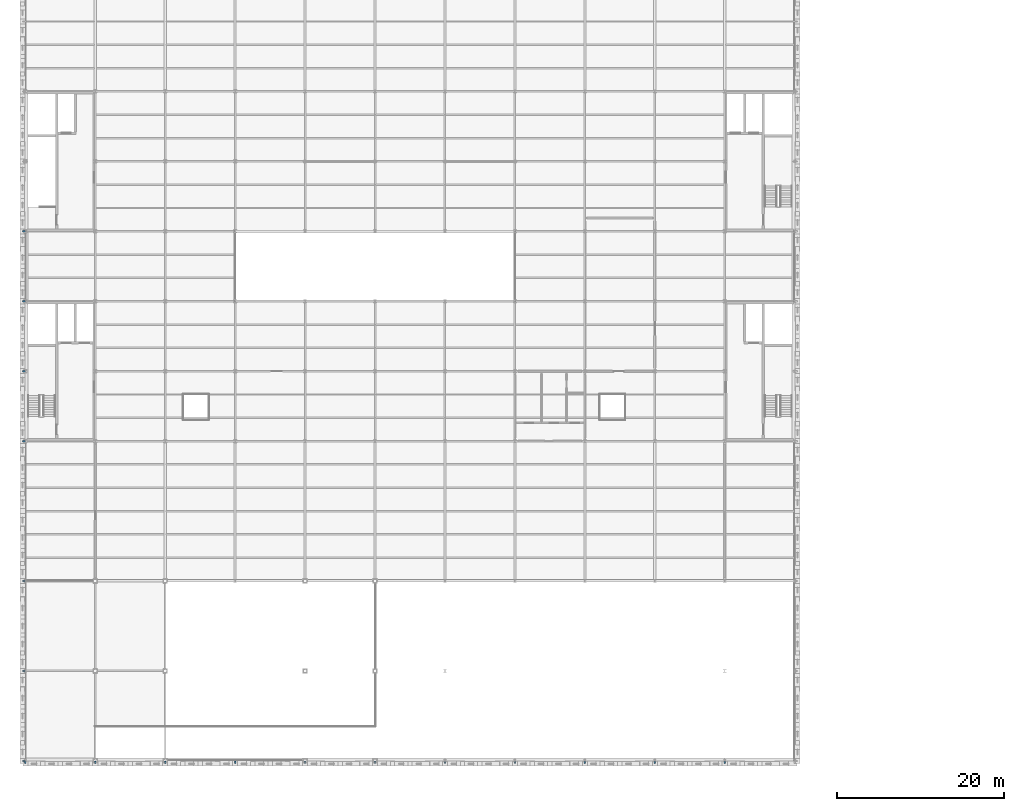
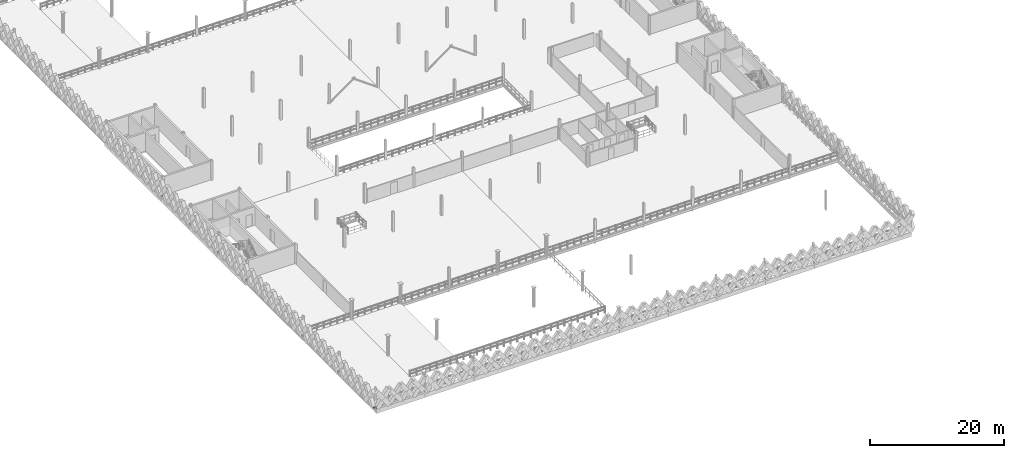
# One storey, part 28 of 47: 18 members.
"""IFC4 building model written with IfcOpenShell, lengths in metres."""

import ifcopenshell
import ifcopenshell.guid

model = None  # the IFC model being written
_history = None  # IfcOwnerHistory: only IFC2X3 demands one
_inside = {}  # id of a spatial element -> (the spatial element, [elements in it])
_under = {}  # id of a project, library or spatial element -> (it, [spatial elements below it])
_declared = {}  # id of a project -> (the project, [libraries it declares])
_typed = {}  # id of a type object -> (the type object, [elements of that type])
_made_of = {}  # id of a material, layer set ... -> (it, [elements and type objects made of it])


def new_model(schema):
    """Start an empty IFC model of exactly this schema.

    Asked for "IFC4X3", IfcOpenShell would pick the latest addendum, in which some entities
    have other attributes; the version numbers below select the first issue.
    IFC2X3 requires an IfcOwnerHistory on every rooted entity: one is made here for all.
    """
    global model, _history
    if schema == "IFC4X3":
        model = ifcopenshell.file(schema_version=(4, 3, 0, 0))
    else:
        model = ifcopenshell.file(schema=schema)
    _inside.clear()
    _under.clear()
    _declared.clear()
    _typed.clear()
    _made_of.clear()
    _history = None
    if model.schema == "IFC2X3":
        org = make("IfcOrganization", Name="unknown")
        user = make(
            "IfcPersonAndOrganization",
            ThePerson=make("IfcPerson", FamilyName="unknown"),
            TheOrganization=org,
        )
        app = make(
            "IfcApplication",
            ApplicationDeveloper=org,
            Version="unknown",
            ApplicationFullName="unknown",
            ApplicationIdentifier="unknown",
        )
        _history = make(
            "IfcOwnerHistory",
            OwningUser=user,
            OwningApplication=app,
            ChangeAction="ADDED",
            CreationDate=0,
        )
    return model


def make(cls, **values):
    """One entity of the class cls with the attributes given. An attribute that is None is left unset."""
    return model.create_entity(
        cls, **{name: value for name, value in values.items() if value is not None}
    )


def rooted(cls, **values):
    """An entity with a GlobalId (a new one), such as an element, a storey or a relation."""
    return make(cls, GlobalId=ifcopenshell.guid.new(), OwnerHistory=_history, **values)


def si_unit(unit_type, name, prefix=None):
    """IfcSIUnit, for example si_unit("LENGTHUNIT", "METRE", prefix="MILLI")."""
    return make("IfcSIUnit", UnitType=unit_type, Prefix=prefix, Name=name)


def assignment(units):
    """IfcUnitAssignment: the units of a project."""
    return None if units is None else make("IfcUnitAssignment", Units=units)


def point(xyz):
    """IfcCartesianPoint."""
    return None if xyz is None else make("IfcCartesianPoint", Coordinates=xyz)


def direction(xyz):
    """IfcDirection."""
    return None if xyz is None else make("IfcDirection", DirectionRatios=xyz)


def frame(location, z_axis=None, x_axis=None):
    """IfcAxis2Placement3D, a coordinate frame: its origin and axes. An axis left out is left unset."""
    return make(
        "IfcAxis2Placement3D",
        Location=point(location),
        Axis=direction(z_axis),
        RefDirection=direction(x_axis),
    )


def frame_2d(location, x_axis=None):
    """IfcAxis2Placement2D, a coordinate frame in the plane: its origin and x axis."""
    return make(
        "IfcAxis2Placement2D", Location=point(location), RefDirection=direction(x_axis)
    )


def origin():
    """The frame at (0, 0, 0) with its axes left unset."""
    return frame((0.0, 0.0, 0.0))


def origin_2d():
    """The frame at (0, 0) in the plane with its x axis left unset."""
    return frame_2d((0.0, 0.0))


def place(relative_to, where):
    """IfcLocalPlacement: puts the frame where relative to a parent placement (None: the world)."""
    return make(
        "IfcLocalPlacement", PlacementRelTo=relative_to, RelativePlacement=where
    )


def context(
    kind, dimensions, precision=None, world=None, true_north=None, identifier=None
):
    """IfcGeometricRepresentationContext, for example the 3D "Model" context."""
    return make(
        "IfcGeometricRepresentationContext",
        ContextIdentifier=identifier,
        ContextType=kind,
        CoordinateSpaceDimension=dimensions,
        Precision=precision,
        WorldCoordinateSystem=world,
        TrueNorth=true_north,
    )


def subcontext(parent, identifier, kind, view, scale=None):
    """IfcGeometricRepresentationSubContext, for example "Body" below "Model"."""
    return make(
        "IfcGeometricRepresentationSubContext",
        ContextIdentifier=identifier,
        ContextType=kind,
        ParentContext=parent,
        TargetScale=scale,
        TargetView=view,
    )


def project(units=None, contexts=None):
    """IfcProject with its units and contexts."""
    return rooted(
        "IfcProject",
        Name="project",
        RepresentationContexts=contexts,
        UnitsInContext=assignment(units),
    )


def spatial(cls, under=None, at=None, **own):
    """A site, building, storey or space (cls), placed at a placement, below another one or the project."""
    s = rooted(cls, ObjectPlacement=at, **own)
    if under is not None:
        _under.setdefault(under.id(), (under, []))[1].append(s)
    return s


def profile(cls, at=None, kind="AREA", **sizes):
    """A parametric profile (cls). Its sizes go by their IFC names, for example OverallWidth=200.0."""
    return make(cls, ProfileType=kind, Position=at, **sizes)


def hollow_rectangle(**sizes):
    """IfcRectangleHollowProfileDef."""
    return profile("IfcRectangleHollowProfileDef", **sizes)


def extrude(swept, where, along, depth):
    """IfcExtrudedAreaSolid: the profile swept, set in the frame where, extruded along a direction by depth."""
    return make(
        "IfcExtrudedAreaSolid",
        SweptArea=swept,
        Position=where,
        ExtrudedDirection=direction(along),
        Depth=depth,
    )


def shape(context_of_items, identifier, shape_type, items):
    """IfcShapeRepresentation: the items that make up one representation, for example the "Body"."""
    return make(
        "IfcShapeRepresentation",
        ContextOfItems=context_of_items,
        RepresentationIdentifier=identifier,
        RepresentationType=shape_type,
        Items=items,
    )


def material(Name=None, Category=None):
    """IfcMaterial."""
    return make("IfcMaterial", Name=Name, Category=Category)


def material_profile(
    of_material, cross_section, Name=None, Category=None, Priority=None
):
    """IfcMaterialProfile: a cross section and its material."""
    return make(
        "IfcMaterialProfile",
        Name=Name,
        Material=of_material,
        Profile=cross_section,
        Priority=Priority,
        Category=Category,
    )


def profile_set(profiles, Name=None, composite=None):
    """IfcMaterialProfileSet."""
    return make(
        "IfcMaterialProfileSet",
        Name=Name,
        MaterialProfiles=profiles,
        CompositeProfile=composite,
    )


def made_of(thing, what):
    """Note that an element or type object is made of a material, layer set ...; save() writes the relation."""
    if what is not None:
        _made_of.setdefault(what.id(), (what, []))[1].append(thing)
    return thing


def type_object(cls, material=None, **own):
    """A type object (cls), such as IfcWallType, which elements share."""
    return made_of(rooted(cls, **own), material)


def element(
    cls,
    number,
    at=None,
    inside=None,
    cuts=None,
    type_object=None,
    material=None,
    context=None,
    identifier="Body",
    shape_type=None,
    held_by="IfcProductDefinitionShape",
    body=None,
    shapes=None,
    **own,
):
    """One element of the class cls, such as IfcWall. Its Tag is "e" and its number.

    at: its placement. inside: the storey or other place that contains it. cuts: it is an
    opening in that element (IfcRelVoidsElement). A single representation is given by context,
    identifier, shape_type and body (its items); several are given by shapes. held_by: the class
    of the entity that holds the representations. save() writes the other relations.
    """
    e = rooted(cls, Tag="e%d" % number, ObjectPlacement=at, **own)
    if body is not None:
        shapes = [shape(context, identifier, shape_type, body)]
    if shapes is not None:
        e.Representation = make(held_by, Representations=shapes)
    if inside is not None:
        _inside.setdefault(inside.id(), (inside, []))[1].append(e)
    if cuts is not None:
        rooted(
            "IfcRelVoidsElement", RelatingBuildingElement=cuts, RelatedOpeningElement=e
        )
    if type_object is not None:
        _typed.setdefault(type_object.id(), (type_object, []))[1].append(e)
    return made_of(e, material)


def aggregate(whole, parts):
    """IfcRelAggregates: a whole, such as a stair, and the parts it consists of."""
    return rooted("IfcRelAggregates", RelatingObject=whole, RelatedObjects=parts)


def save(model, path):
    """Write the relations noted so far, then the file.

    IfcRelAggregates (storeys below a building ...), IfcRelContainedInSpatialStructure (elements
    in a storey), IfcRelDefinesByType, IfcRelAssociatesMaterial and IfcRelDeclares: one each for
    every whole, place, type object, material and project.
    """
    for whole, parts in _under.values():
        aggregate(whole, parts)
    for where, things in _inside.values():
        rooted(
            "IfcRelContainedInSpatialStructure",
            RelatedElements=things,
            RelatingStructure=where,
        )
    for kind, things in _typed.values():
        rooted("IfcRelDefinesByType", RelatedObjects=things, RelatingType=kind)
    for what, things in _made_of.values():
        rooted("IfcRelAssociatesMaterial", RelatedObjects=things, RelatingMaterial=what)
    for by, libraries in _declared.values():
        rooted("IfcRelDeclares", RelatingContext=by, RelatedDefinitions=libraries)
    model.write(path)


model = new_model("IFC4")

# Units and contexts
model_context = context("Model", 3, precision=1e-05, world=origin(), true_north=direction((0.0, 1.0)))
body_context = subcontext(model_context, "Body", "Model", "MODEL_VIEW")
ifc_project = project(units=[si_unit("LENGTHUNIT", "METRE"), si_unit("AREAUNIT", "SQUARE_METRE"), si_unit("VOLUMEUNIT", "CUBIC_METRE"), si_unit("PLANEANGLEUNIT", "RADIAN"), si_unit("MASSUNIT", "GRAM", prefix="KILO"), si_unit("THERMODYNAMICTEMPERATUREUNIT", "KELVIN"), si_unit("POWERUNIT", "WATT")], contexts=[model_context])

# Site, building, storey
site_placement = place(None, origin())
site = spatial("IfcSite", under=ifc_project, at=site_placement, CompositionType="ELEMENT")
building_placement = place(site_placement, origin())
building = spatial("IfcBuilding", under=site, at=building_placement, Name="Tembeka Court Mobility Hub", CompositionType="ELEMENT")
storey_placement = place(building_placement, frame((0.0, 0.0, 19.800048828125)))
storey = spatial("IfcBuildingStorey", under=building, at=storey_placement, Name="L05", CompositionType="ELEMENT", Elevation=19.800048828125)

# Members
ifc_material = material(Name="Steel S355", Category="steel")
ifc_material_profile = material_profile(ifc_material, hollow_rectangle(XDim=0.14990234375, YDim=0.300048828125, WallThickness=0.010009765625, at=origin_2d()), Name="RHS 300x150x10")
ifc_profile_set = profile_set([ifc_material_profile], Name="Steel S355")
member_type = type_object("IfcMemberType", Name="MEM-ST03", PredefinedType="STRUT", material=ifc_profile_set)
for number, where, z_axis, x_axis, name in (
    (1, (0.0, 0.0, 0.02001953125), (0.0, -1.0, 0.0), (1.0, 0.0, 0.0), "Lattice outrigger tie SR03 (L05-Y-0)"),
    (2, (8.39990234375, 0.0, 0.02001953125), (0.0, -1.0, 0.0), (1.0, 0.0, 0.0), "Lattice outrigger tie SR03 (L05-Y-8)"),
    (3, (16.800048828125, 0.0, 0.02001953125), (0.0, -1.0, 0.0), (1.0, 0.0, 0.0), "Lattice outrigger tie SR03 (L05-Y-16)"),
    (4, (25.199951171875, 0.0, 0.02001953125), (0.0, -1.0, 0.0), (1.0, 0.0, 0.0), "Lattice outrigger tie SR03 (L05-Y-25)"),
    (5, (33.60009765625, 0.0, 0.02001953125), (0.0, -1.0, 0.0), (1.0, 0.0, 0.0), "Lattice outrigger tie SR03 (L05-Y-33)"),
    (6, (42.0, 0.0, 0.02001953125), (0.0, -1.0, 0.0), (1.0, 0.0, 0.0), "Lattice outrigger tie SR03 (L05-Y-42)"),
    (7, (50.39990234375, 0.0, 0.02001953125), (0.0, -1.0, 0.0), (1.0, 0.0, 0.0), "Lattice outrigger tie SR03 (L05-Y-50)"),
    (8, (58.800048828125, 0.0, 0.02001953125), (0.0, -1.0, 0.0), (1.0, 0.0, 0.0), "Lattice outrigger tie SR03 (L05-Y-58)"),
    (9, (67.199951171875, 0.0, 0.02001953125), (0.0, -1.0, 0.0), (1.0, 0.0, 0.0), "Lattice outrigger tie SR03 (L05-Y-67)"),
    (10, (75.60009765625, 0.0, 0.02001953125), (0.0, -1.0, 0.0), (1.0, 0.0, 0.0), "Lattice outrigger tie SR03 (L05-Y-75)"),
    (11, (84.0, 0.0, 0.02001953125), (0.0, -1.0, 0.0), (1.0, 0.0, 0.0), "Lattice outrigger tie SR03 (L05-Y-84)"),
    (12, (0.0, 0.0, 0.02001953125), (-1.0, 0.0, 0.0), (0.0, -1.0, 0.0), "Lattice outrigger tie SR03 (L05-X-0)"),
    (13, (0.0, 10.800048828125, 0.02001953125), (-1.0, 0.0, 0.0), (0.0, -1.0, 0.0), "Lattice outrigger tie SR03 (L05-X-10)"),
    (14, (0.0, 21.60009765625, 0.02001953125), (-1.0, 0.0, 0.0), (0.0, -1.0, 0.0), "Lattice outrigger tie SR03 (L05-X-21)"),
    (15, (0.0, 38.39990234375, 0.02001953125), (-1.0, 0.0, 0.0), (0.0, -1.0, 0.0), "Lattice outrigger tie SR03 (L05-X-38)"),
    (16, (0.0, 46.800048828125, 0.02001953125), (-1.0, 0.0, 0.0), (0.0, -1.0, 0.0), "Lattice outrigger tie SR03 (L05-X-46)"),
    (17, (0.0, 55.199951171875, 0.02001953125), (-1.0, 0.0, 0.0), (0.0, -1.0, 0.0), "Lattice outrigger tie SR03 (L05-X-55)"),
    (18, (0.0, 63.60009765625, 0.02001953125), (-1.0, 0.0, 0.0), (0.0, -1.0, 0.0), "Lattice outrigger tie SR03 (L05-X-63)"),
):
    element("IfcMember", number, at=place(storey_placement, frame(where, z_axis=z_axis, x_axis=x_axis)), inside=storey, type_object=member_type, Name=name, PredefinedType="STRUT", context=body_context, shape_type="SweptSolid", body=[
        extrude(hollow_rectangle(XDim=0.14990234375, YDim=0.300048828125, WallThickness=0.010009765625, at=origin_2d()), origin(), (0.0, 0.0, 1.0), 0.340087890625),
    ])

save(model, "model.ifc")
